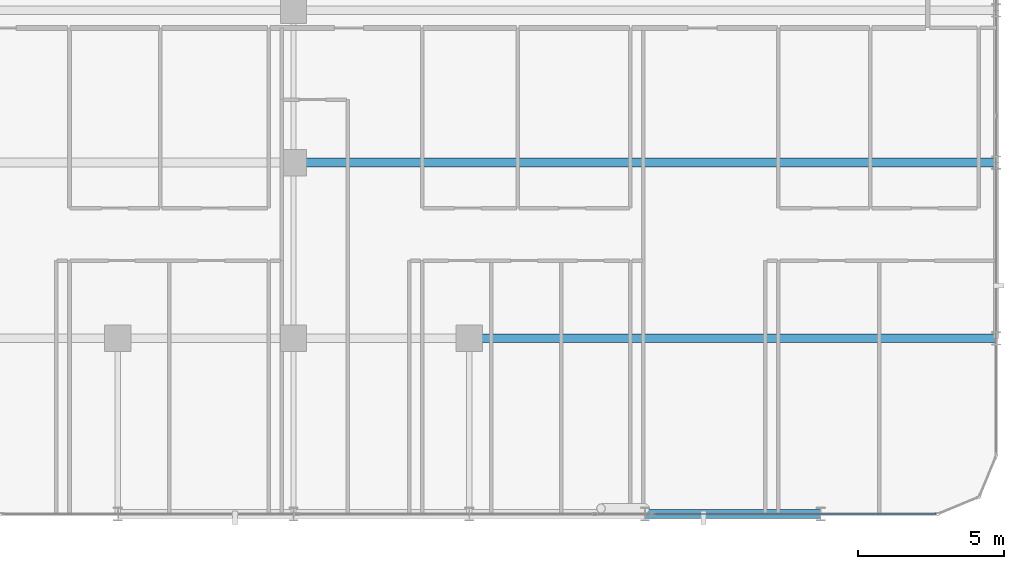
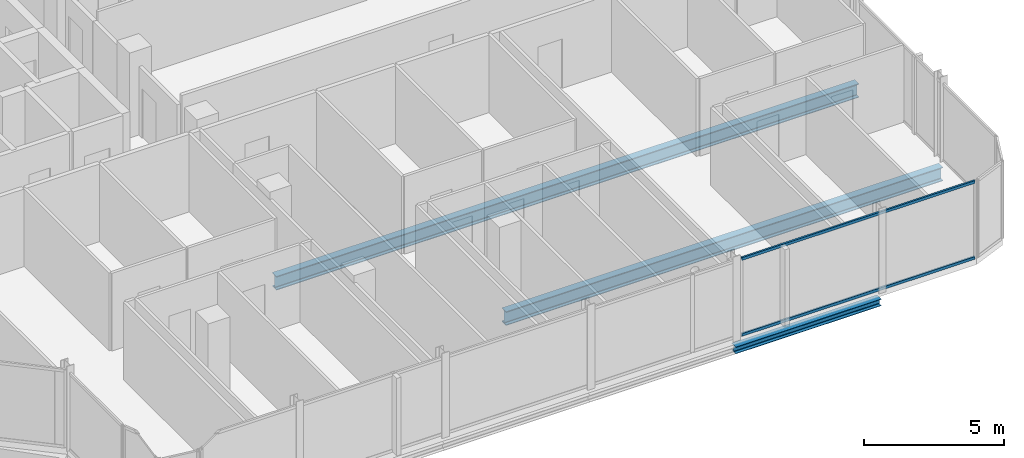
# One storey, part 11 of 29: 3 beams, 2 members, 1 element without a shape of its own.
"""IFC4 building model written with IfcOpenShell, lengths in metres."""

from ifc_helpers import new_model, si_unit, direction, frame, origin, origin_2d, place, context, subcontext, project, spatial, hollow_rectangle, i_section, extrude, material, layer, layer_set, material_profile, profile_set, type_object, element, aggregate, save


model = new_model("IFC4")

# Units and contexts
model_context = context("Model", 3, precision=1e-05, world=origin(), true_north=direction((0.0, 1.0)))
body_context = subcontext(model_context, "Body", "Model", "MODEL_VIEW")
ifc_project = project(units=[si_unit("LENGTHUNIT", "METRE"), si_unit("AREAUNIT", "SQUARE_METRE"), si_unit("VOLUMEUNIT", "CUBIC_METRE"), si_unit("PLANEANGLEUNIT", "RADIAN"), si_unit("MASSUNIT", "GRAM", prefix="KILO")], contexts=[model_context])

# Site, building, storey
site_placement = place(None, origin())
site = spatial("IfcSite", under=ifc_project, at=site_placement, CompositionType="ELEMENT")
building_placement = place(site_placement, origin())
building = spatial("IfcBuilding", under=site, at=building_placement, Name="Keshet Zoharim Tower", CompositionType="ELEMENT")
storey_placement = place(building_placement, frame((0.0, 0.0, 180.199951171875)))
storey = spatial("IfcBuildingStorey", under=building, at=storey_placement, Name="L44", CompositionType="ELEMENT", Elevation=180.199951171875)

# Beams
ifc_material_1 = material(Name="Steel S355", Category="steel")
ifc_material_profile_1 = material_profile(ifc_material_1, i_section(OverallWidth=0.300048828125, OverallDepth=0.60009765625, WebThickness=0.015380859375, FlangeThickness=0.030029296875, FilletRadius=0.027099609375, at=origin_2d()), Name="HEB600")
ifc_profile_set_1 = profile_set([ifc_material_profile_1], Name="Steel S355")
beam_type_1 = type_object("IfcBeamType", Name="BM-LNG-HB600", PredefinedType="BEAM", material=ifc_profile_set_1)
beam_1_placement = place(storey_placement, frame((39.0, 6.699951171875, -0.60986328125), z_axis=(1.0, 0.0, 0.0), x_axis=(0.0, 1.0, 0.0)))
element("IfcBeam", 1, at=beam_1_placement, inside=storey, type_object=beam_type_1, Name="L44 Primary Girder X-008", PredefinedType="BEAM", context=body_context, shape_type="SweptSolid", body=[
    extrude(i_section(OverallWidth=0.300048828125, OverallDepth=0.60009765625, WebThickness=0.015380859375, FlangeThickness=0.030029296875, FilletRadius=0.027099609375, at=origin_2d()), origin(), (0.0, 0.0, 1.0), 18.0),
])
beam_2_placement = place(storey_placement, frame((33.0, 12.699951171875, -0.60986328125), z_axis=(1.0, 0.0, 0.0), x_axis=(0.0, 1.0, 0.0)))
element("IfcBeam", 2, at=beam_2_placement, inside=storey, type_object=beam_type_1, Name="L44 Primary Girder X-010", PredefinedType="BEAM", context=body_context, shape_type="SweptSolid", body=[
    extrude(i_section(OverallWidth=0.300048828125, OverallDepth=0.60009765625, WebThickness=0.015380859375, FlangeThickness=0.030029296875, FilletRadius=0.027099609375, at=origin_2d()), origin(), (0.0, 0.0, 1.0), 24.0),
])
ifc_material_profile_2 = material_profile(ifc_material_1, i_section(OverallWidth=0.300048828125, OverallDepth=0.300048828125, WebThickness=0.010986328125, FlangeThickness=0.01904296875, FilletRadius=0.027099609375, at=origin_2d()), Name="HEB300")
ifc_profile_set_2 = profile_set([ifc_material_profile_2], Name="Steel S355")
beam_type_2 = type_object("IfcBeamType", Name="BM-PRI-HB300", PredefinedType="BEAM", material=ifc_profile_set_2)
beam_3_placement = place(storey_placement, frame((45.0, 0.699951171875, -0.4599609375), z_axis=(1.0, 0.0, 0.0), x_axis=(0.0, 1.0, 0.0)))
element("IfcBeam", 3, at=beam_3_placement, inside=storey, type_object=beam_type_2, Name="L44 Primary Girder X-004", PredefinedType="BEAM", context=body_context, shape_type="SweptSolid", body=[
    extrude(i_section(OverallWidth=0.300048828125, OverallDepth=0.300048828125, WebThickness=0.010986328125, FlangeThickness=0.01904296875, FilletRadius=0.027099609375, at=origin_2d()), origin(), (0.0, 0.0, 1.0), 6.0),
])

# Curtain wall, members
ifc_material_2 = material(Name="Aluminium 6063-T6", Category="aluminium")
ifc_layer = layer(ifc_material_2, 0.139892578125)
ifc_layer_set = layer_set([ifc_layer], Name="Aluminium 6063-T6")
curtain_wall_type = type_object("IfcCurtainWallType", Name="CW-SYS-05", PredefinedType="NOTDEFINED", material=ifc_layer_set)
curtain_wall_placement = place(storey_placement, origin())
curtain_wall = element("IfcCurtainWall", 4, at=curtain_wall_placement, inside=storey, type_object=curtain_wall_type, Name="L44 Unitised Curtain Wall 06", PredefinedType="NOTDEFINED")
ifc_material_profile_3 = material_profile(ifc_material_2, hollow_rectangle(XDim=0.074951171875, YDim=0.1201171875, WallThickness=0.00390625, at=origin_2d()), Name="TRN-75x120")
ifc_profile_set_3 = profile_set([ifc_material_profile_3], Name="Aluminium 6063-T6")
member_type = type_object("IfcMemberType", Name="CWT-T12", PredefinedType="USERDEFINED", material=ifc_profile_set_3)
member_1_placement = place(storey_placement, frame((54.929931640625, 0.699951171875, 0.03515625), z_axis=(-1.0, 0.0, 0.0), x_axis=(0.0, -1.0, 0.0)))
member_1 = element("IfcMember", 5, at=member_1_placement, type_object=member_type, Name="CW-05 transom 1.1", ObjectType="TRANSOM", PredefinedType="USERDEFINED", context=body_context, shape_type="SweptSolid", body=[
    extrude(hollow_rectangle(XDim=0.074951171875, YDim=0.1201171875, WallThickness=0.00390625, at=origin_2d()), origin(), (0.0, 0.0, 1.0), 9.61181640625),
])
member_2_placement = place(storey_placement, frame((54.929931640625, 0.699951171875, 3.344970703125), z_axis=(-1.0, 0.0, 0.0), x_axis=(0.0, -1.0, 0.0)))
member_2 = element("IfcMember", 6, at=member_2_placement, type_object=member_type, Name="CW-05 transom 1.2", ObjectType="TRANSOM", PredefinedType="USERDEFINED", context=body_context, shape_type="SweptSolid", body=[
    extrude(hollow_rectangle(XDim=0.074951171875, YDim=0.1201171875, WallThickness=0.00390625, at=origin_2d()), origin(), (0.0, 0.0, 1.0), 9.61181640625),
])
aggregate(curtain_wall, [member_1, member_2])

save(model, "model.ifc")
